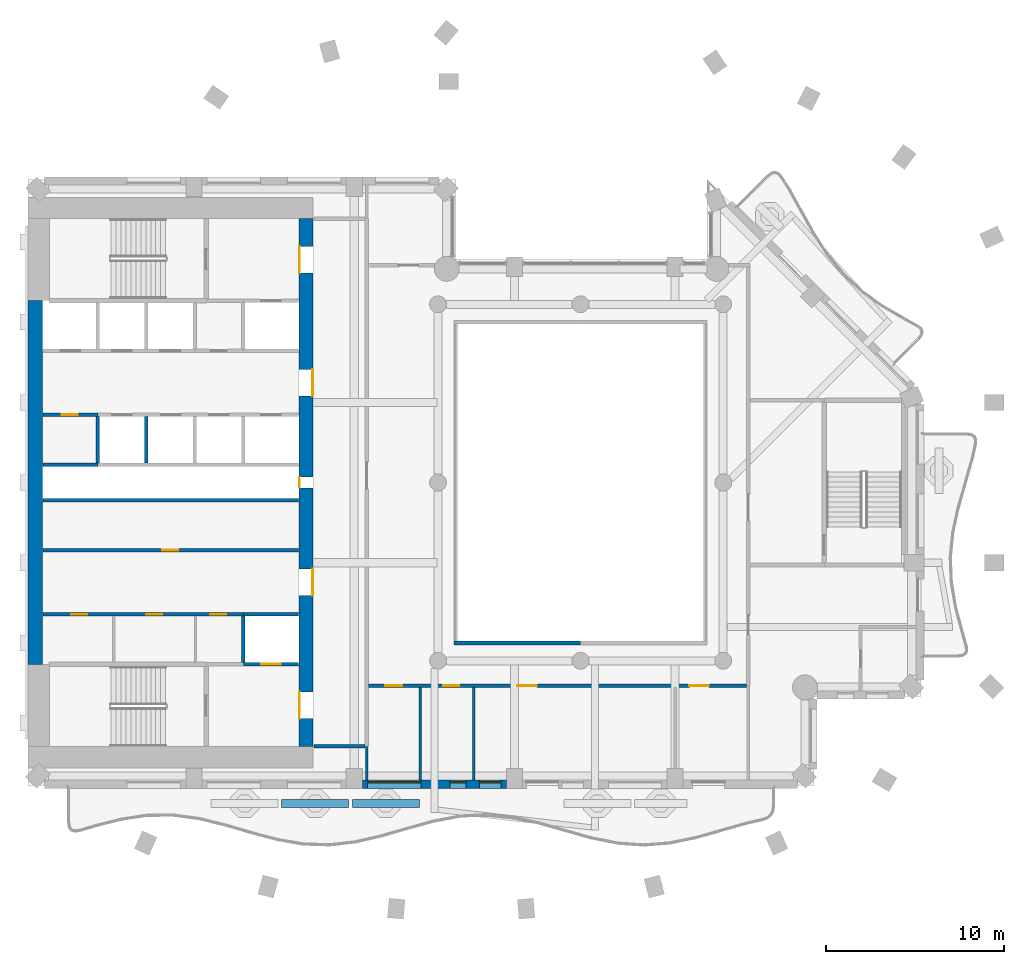
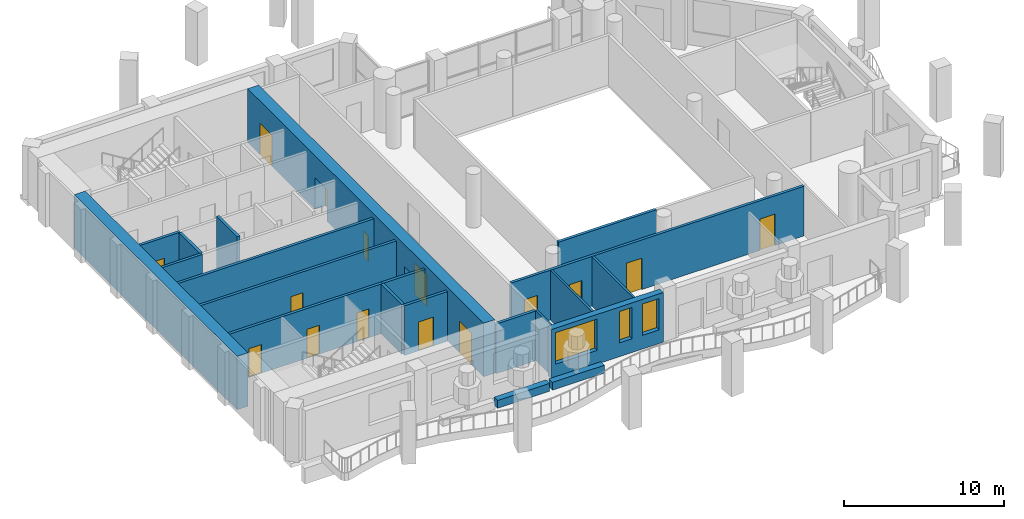
# One storey, part 4 of 14: 21 walls, 15 doors, 3 windows, 18 openings.
"""IFC4 building model written with IfcOpenShell, lengths in metres."""

from ifc_helpers import new_model, si_unit, direction, frame, frame_2d, origin, place, context, subcontext, project, spatial, rectangle, extrude, material, layer, layer_set, type_object, element, fill, save


model = new_model("IFC4")

# Units and contexts
model_context = context("Model", 3, precision=1e-05, world=origin(), true_north=direction((0.0, 1.0)))
body_context = subcontext(model_context, "Body", "Model", "MODEL_VIEW")
ifc_project = project(units=[si_unit("LENGTHUNIT", "METRE"), si_unit("AREAUNIT", "SQUARE_METRE"), si_unit("VOLUMEUNIT", "CUBIC_METRE"), si_unit("PLANEANGLEUNIT", "RADIAN"), si_unit("MASSUNIT", "GRAM", prefix="KILO")], contexts=[model_context])

# Site, building, storey
site_placement = place(None, origin())
site = spatial("IfcSite", under=ifc_project, at=site_placement, CompositionType="ELEMENT")
building_placement = place(site_placement, origin())
building = spatial("IfcBuilding", under=site, at=building_placement, Name="Cypress Arch Tower", CompositionType="ELEMENT")
storey_placement = place(building_placement, frame((0.0, 0.0, 226.10009765625)))
storey = spatial("IfcBuildingStorey", under=building, at=storey_placement, Name="L50", CompositionType="ELEMENT", Elevation=226.10009765625)

# Walls
ifc_material_1 = material(Name="Concrete C40/50, waterproofed", Category="concrete")
ifc_layer_1 = layer(ifc_material_1, 0.449951171875)
ifc_layer_set_1 = layer_set([ifc_layer_1], Name="Balcony planter wall PW450")
wall_type_1 = type_object("IfcWallType", Name="Balcony planter wall PW450", PredefinedType="SOLIDWALL", material=ifc_layer_set_1)
for number, where, z_axis, x_axis, name in (
    (1, (-15.77001953125, -18.0, 0.0), (0.0, 0.0, 1.0), (1.0, 0.0, 0.0), "Balcony planter wall L50-B01.2"),
    (2, (-11.81005859375, -18.0, 0.0), (0.0, 0.0, 1.0), (1.0, 0.0, 0.0), "Balcony planter wall L50-B01.3"),
):
    element("IfcWall", number, at=place(storey_placement, frame(where, z_axis=z_axis, x_axis=x_axis)), inside=storey, type_object=wall_type_1, Name=name, PredefinedType="SOLIDWALL", context=body_context, shape_type="SweptSolid", body=[
        extrude(rectangle(XDim=3.760009765625, YDim=0.449951171875, at=frame_2d((1.8798828125, 0.0))), origin(), (0.0, 0.0, 1.0), 0.599853515625),
    ])

# Wall, openings, windows
ifc_material_2 = material(Name="Brick (red buff blend)", Category="masonry")
ifc_layer_2 = layer(ifc_material_2, 0.449951171875)
ifc_layer_set_2 = layer_set([ifc_layer_2], Name="Brick pier and spandrel wall BW450")
wall_type_2 = type_object("IfcWallType", Name="Brick pier and spandrel wall BW450", PredefinedType="SOLIDWALL", material=ifc_layer_set_2)
wall_1_placement = place(storey_placement, frame((-11.25, -16.925048828125, 0.0), z_axis=(0.0, 0.0, 1.0), x_axis=(1.0, 0.0, 0.0)))
wall_1 = element("IfcWall", 3, at=wall_1_placement, inside=storey, type_object=wall_type_2, Name="Brick wall L50 B01.2", PredefinedType="SOLIDWALL", context=body_context, shape_type="SweptSolid", body=[
    extrude(rectangle(XDim=8.10009765625, YDim=0.449951171875, at=frame_2d((4.050048828125, 0.0))), origin(), (0.0, 0.0, 1.0), 3.7998046875),
])
opening_1_placement = place(wall_1_placement, frame((0.300048828125, 0.0, 1.050048828125)))
opening_1 = element("IfcOpeningElement", 4, at=opening_1_placement, cuts=wall_1, Name="Opening W300OD", PredefinedType="OPENING", context=body_context, shape_type="SweptSolid", body=[
    extrude(rectangle(XDim=3.0, YDim=2.39990234375, at=frame_2d((1.5, 1.199951171875))), frame((0.0, 0.23486328125, 0.0), z_axis=(0.0, -1.0, 0.0), x_axis=(1.0, 0.0, 0.0)), (0.0, 0.0, 1.0), 0.469970703125),
])
opening_2_placement = place(wall_1_placement, frame((4.925048828125, 0.0, 1.050048828125)))
opening_2 = element("IfcOpeningElement", 5, at=opening_2_placement, cuts=wall_1, Name="Opening W090OD", PredefinedType="OPENING", context=body_context, shape_type="SweptSolid", body=[
    extrude(rectangle(XDim=0.89990234375, YDim=2.39990234375, at=frame_2d((0.449951171875, 1.199951171875))), frame((0.0, 0.23486328125, 0.0), z_axis=(0.0, -1.0, 0.0), x_axis=(1.0, 0.0, 0.0)), (0.0, 0.0, 1.0), 0.469970703125),
])
opening_3_placement = place(wall_1_placement, frame((6.574951171875, 0.0, 1.050048828125)))
opening_3 = element("IfcOpeningElement", 6, at=opening_3_placement, cuts=wall_1, Name="Opening W120OD", PredefinedType="OPENING", context=body_context, shape_type="SweptSolid", body=[
    extrude(rectangle(XDim=1.199951171875, YDim=2.39990234375, at=frame_2d((0.60009765625, 1.199951171875))), frame((0.0, 0.23486328125, 0.0), z_axis=(0.0, -1.0, 0.0), x_axis=(1.0, 0.0, 0.0)), (0.0, 0.0, 1.0), 0.469970703125),
])
ifc_material_3 = material(Name="Anodised aluminium, bronze finish, laminated low-emissivity double glazing, large-missile impact rated", Category="aluminium")
window_type_1 = type_object("IfcWindowType", Name="Window Office 1200x2400 debris-rated", PartitioningType="SINGLE_PANEL", PredefinedType="WINDOW", material=ifc_material_3)
window_1_placement = place(opening_3_placement, origin())
window_1 = element("IfcWindow", 7, at=window_1_placement, inside=storey, type_object=window_type_1, Name="Window L50 B01.2.2b", OverallHeight=2.39990234375, OverallWidth=1.199951171875, PartitioningType="SINGLE_PANEL", PredefinedType="WINDOW", context=body_context, shape_type="SweptSolid", body=[
    extrude(rectangle(XDim=1.199951171875, YDim=2.39990234375, at=frame_2d((0.60009765625, 1.199951171875))), frame((0.0, 0.135009765625, 0.0), z_axis=(0.0, -1.0, 0.0), x_axis=(1.0, 0.0, 0.0)), (0.0, 0.0, 1.0), 0.06005859375),
])
fill(opening_3, window_1)
ifc_material_4 = material(Name="Anodised aluminium, bronze finish, laminated low-emissivity double glazing, large-missile impact rated", Category="aluminium")
window_type_2 = type_object("IfcWindowType", Name="Window Office 3000x2400 debris-rated", PartitioningType="SINGLE_PANEL", PredefinedType="WINDOW", material=ifc_material_4)
window_2_placement = place(opening_1_placement, origin())
window_2 = element("IfcWindow", 8, at=window_2_placement, inside=storey, type_object=window_type_2, Name="Window L50 B01.2.1", OverallHeight=2.39990234375, OverallWidth=3.0, PartitioningType="SINGLE_PANEL", PredefinedType="WINDOW", context=body_context, shape_type="SweptSolid", body=[
    extrude(rectangle(XDim=3.0, YDim=2.39990234375, at=frame_2d((1.5, 1.199951171875))), frame((0.0, 0.135009765625, 0.0), z_axis=(0.0, -1.0, 0.0), x_axis=(1.0, 0.0, 0.0)), (0.0, 0.0, 1.0), 0.06005859375),
])
fill(opening_1, window_2)
ifc_material_5 = material(Name="Anodised aluminium, bronze finish, laminated low-emissivity double glazing, large-missile impact rated", Category="aluminium")
window_type_3 = type_object("IfcWindowType", Name="Window Office 900x2400 debris-rated", PartitioningType="SINGLE_PANEL", PredefinedType="WINDOW", material=ifc_material_5)
window_3_placement = place(opening_2_placement, origin())
window_3 = element("IfcWindow", 9, at=window_3_placement, inside=storey, type_object=window_type_3, Name="Window L50 B01.2.2", OverallHeight=2.39990234375, OverallWidth=0.89990234375, PartitioningType="SINGLE_PANEL", PredefinedType="WINDOW", context=body_context, shape_type="SweptSolid", body=[
    extrude(rectangle(XDim=0.89990234375, YDim=2.39990234375, at=frame_2d((0.449951171875, 1.199951171875))), frame((0.0, 0.135009765625, 0.0), z_axis=(0.0, -1.0, 0.0), x_axis=(1.0, 0.0, 0.0)), (0.0, 0.0, 1.0), 0.06005859375),
])
fill(opening_2, window_3)

# Wall, openings, doors
ifc_material_6 = material(Name="Concrete C70/85", Category="concrete")
ifc_layer_3 = layer(ifc_material_6, 0.800048828125)
ifc_layer_set_3 = layer_set([ifc_layer_3], Name="Core wall CW800 C70/85")
wall_type_3 = type_object("IfcWallType", Name="Core wall CW800 C70/85", PredefinedType="SHEAR", material=ifc_layer_set_3)
wall_2_placement = place(storey_placement, frame((-14.39990234375, -14.800048828125, 0.0), z_axis=(0.0, 0.0, 1.0), x_axis=(0.0, 1.0, 0.0)))
wall_2 = element("IfcWall", 10, at=wall_2_placement, inside=storey, type_object=wall_type_3, Name="Core wall", PredefinedType="SHEAR", context=body_context, shape_type="SweptSolid", body=[
    extrude(rectangle(XDim=29.60009765625, YDim=0.800048828125, at=frame_2d((14.800048828125, 0.0))), origin(), (0.0, 0.0, 1.0), 4.099853515625),
])
opening_4_placement = place(wall_2_placement, frame((1.550048828125, 0.0, 0.0)))
opening_4 = element("IfcOpeningElement", 11, at=opening_4_placement, cuts=wall_2, Name="Opening D07", PredefinedType="OPENING", context=body_context, shape_type="SweptSolid", body=[
    extrude(rectangle(XDim=1.5, YDim=2.39990234375, at=frame_2d((0.75, 1.199951171875))), frame((0.0, 0.409912109375, 0.0), z_axis=(0.0, -1.0, 0.0), x_axis=(1.0, 0.0, 0.0)), (0.0, 0.0, 1.0), 0.820068359375),
])
opening_5_placement = place(wall_2_placement, frame((26.550048828125, 0.0, 0.0)))
opening_5 = element("IfcOpeningElement", 12, at=opening_5_placement, cuts=wall_2, Name="Opening D07", PredefinedType="OPENING", context=body_context, shape_type="SweptSolid", body=[
    extrude(rectangle(XDim=1.5, YDim=2.39990234375, at=frame_2d((0.75, 1.199951171875))), frame((0.0, 0.409912109375, 0.0), z_axis=(0.0, -1.0, 0.0), x_axis=(1.0, 0.0, 0.0)), (0.0, 0.0, 1.0), 0.820068359375),
])
opening_6_placement = place(wall_2_placement, frame((8.449951171875, 0.0, 0.0)))
opening_6 = element("IfcOpeningElement", 13, at=opening_6_placement, cuts=wall_2, Name="Opening D07", PredefinedType="OPENING", context=body_context, shape_type="SweptSolid", body=[
    extrude(rectangle(XDim=1.5, YDim=2.39990234375, at=frame_2d((0.75, 1.199951171875))), frame((0.0, 0.409912109375, 0.0), z_axis=(0.0, -1.0, 0.0), x_axis=(1.0, 0.0, 0.0)), (0.0, 0.0, 1.0), 0.820068359375),
])
opening_7_placement = place(wall_2_placement, frame((19.64990234375, 0.0, 0.0)))
opening_7 = element("IfcOpeningElement", 14, at=opening_7_placement, cuts=wall_2, Name="Opening D07", PredefinedType="OPENING", context=body_context, shape_type="SweptSolid", body=[
    extrude(rectangle(XDim=1.5, YDim=2.39990234375, at=frame_2d((0.75, 1.199951171875))), frame((0.0, 0.409912109375, 0.0), z_axis=(0.0, -1.0, 0.0), x_axis=(1.0, 0.0, 0.0)), (0.0, 0.0, 1.0), 0.820068359375),
])
opening_8_placement = place(wall_2_placement, frame((14.5, 0.0, 0.0)))
opening_8 = element("IfcOpeningElement", 15, at=opening_8_placement, cuts=wall_2, Name="Opening D08", PredefinedType="OPENING", context=body_context, shape_type="SweptSolid", body=[
    extrude(rectangle(XDim=0.60009765625, YDim=2.0, at=frame_2d((0.300048828125, 1.0))), frame((0.0, 0.409912109375, 0.0), z_axis=(0.0, -1.0, 0.0), x_axis=(1.0, 0.0, 0.0)), (0.0, 0.0, 1.0), 0.820068359375),
])
ifc_material_7 = material(Name="Steel framed glazed door, fire resisting", Category="steel")
door_type_1 = type_object("IfcDoorType", Name="Lobby door D07 1500x2400", OperationType="DOUBLE_DOOR_SINGLE_SWING", PredefinedType="DOOR", material=ifc_material_7)
door_1_placement = place(opening_4_placement, origin())
door_1 = element("IfcDoor", 16, at=door_1_placement, inside=storey, type_object=door_type_1, Name="Lobby door", OperationType="DOUBLE_DOOR_SINGLE_SWING", OverallHeight=2.39990234375, OverallWidth=1.5, PredefinedType="DOOR", context=body_context, shape_type="SweptSolid", body=[
    extrude(rectangle(XDim=1.5, YDim=2.39990234375, at=frame_2d((0.75, 1.199951171875))), frame((0.0, 0.39501953125, 0.0), z_axis=(0.0, -1.0, 0.0), x_axis=(1.0, 0.0, 0.0)), (0.0, 0.0, 1.0), 0.050048828125),
])
fill(opening_4, door_1)
door_2_placement = place(opening_5_placement, origin())
door_2 = element("IfcDoor", 17, at=door_2_placement, inside=storey, type_object=door_type_1, Name="Lobby door", OperationType="DOUBLE_DOOR_SINGLE_SWING", OverallHeight=2.39990234375, OverallWidth=1.5, PredefinedType="DOOR", context=body_context, shape_type="SweptSolid", body=[
    extrude(rectangle(XDim=1.5, YDim=2.39990234375, at=frame_2d((0.75, 1.199951171875))), frame((0.0, 0.39501953125, 0.0), z_axis=(0.0, -1.0, 0.0), x_axis=(1.0, 0.0, 0.0)), (0.0, 0.0, 1.0), 0.050048828125),
])
fill(opening_5, door_2)
door_3_placement = place(opening_6_placement, origin())
door_3 = element("IfcDoor", 18, at=door_3_placement, inside=storey, type_object=door_type_1, Name="Lobby door", OperationType="DOUBLE_DOOR_SINGLE_SWING", OverallHeight=2.39990234375, OverallWidth=1.5, PredefinedType="DOOR", context=body_context, shape_type="SweptSolid", body=[
    extrude(rectangle(XDim=1.5, YDim=2.39990234375, at=frame_2d((0.75, 1.199951171875))), frame((0.0, -0.34521484375, 0.0), z_axis=(0.0, -1.0, 0.0), x_axis=(1.0, 0.0, 0.0)), (0.0, 0.0, 1.0), 0.050048828125),
])
fill(opening_6, door_3)
door_4_placement = place(opening_7_placement, origin())
door_4 = element("IfcDoor", 19, at=door_4_placement, inside=storey, type_object=door_type_1, Name="Lobby door", OperationType="DOUBLE_DOOR_SINGLE_SWING", OverallHeight=2.39990234375, OverallWidth=1.5, PredefinedType="DOOR", context=body_context, shape_type="SweptSolid", body=[
    extrude(rectangle(XDim=1.5, YDim=2.39990234375, at=frame_2d((0.75, 1.199951171875))), frame((0.0, -0.34521484375, 0.0), z_axis=(0.0, -1.0, 0.0), x_axis=(1.0, 0.0, 0.0)), (0.0, 0.0, 1.0), 0.050048828125),
])
fill(opening_7, door_4)
ifc_material_8 = material(Name="Steel access door, fire resisting", Category="steel")
door_type_2 = type_object("IfcDoorType", Name="Riser access door D08 600x2000", OperationType="SINGLE_SWING_LEFT", PredefinedType="DOOR", material=ifc_material_8)
door_5_placement = place(opening_8_placement, origin())
door_5 = element("IfcDoor", 20, at=door_5_placement, inside=storey, type_object=door_type_2, Name="Riser access door", OperationType="SINGLE_SWING_RIGHT", OverallHeight=2.0, OverallWidth=0.60009765625, PredefinedType="DOOR", context=body_context, shape_type="SweptSolid", body=[
    extrude(rectangle(XDim=0.60009765625, YDim=2.0, at=frame_2d((0.300048828125, 1.0))), frame((0.0, 0.39501953125, 0.0), z_axis=(0.0, -1.0, 0.0), x_axis=(1.0, 0.0, 0.0)), (0.0, 0.0, 1.0), 0.050048828125),
])
fill(opening_8, door_5)

# Wall
wall_3_placement = place(storey_placement, frame((-29.60009765625, -10.199951171875, 0.0), z_axis=(0.0, 0.0, 1.0), x_axis=(0.0, 1.0, 0.0)))
element("IfcWall", 21, at=wall_3_placement, inside=storey, type_object=wall_type_3, Name="Core wall", PredefinedType="SHEAR", context=body_context, shape_type="SweptSolid", body=[
    extrude(rectangle(XDim=20.39990234375, YDim=0.800048828125, at=frame_2d((10.199951171875, 0.0))), origin(), (0.0, 0.0, 1.0), 4.099853515625),
])

# Wall, openings, doors
ifc_material_9 = material(Name="Concrete blockwork, plastered, rated", Category="masonry")
ifc_layer_4 = layer(ifc_material_9, 0.199951171875)
ifc_layer_set_4 = layer_set([ifc_layer_4], Name="Corridor wall FW200")
wall_type_4 = type_object("IfcWallType", Name="Corridor wall FW200", PredefinedType="PARTITIONING", material=ifc_layer_set_4)
wall_4_placement = place(storey_placement, frame((-29.169921875, -7.39990234375, 0.0), z_axis=(0.0, 0.0, 1.0), x_axis=(1.0, 0.0, 0.0)))
wall_4 = element("IfcWall", 22, at=wall_4_placement, inside=storey, type_object=wall_type_4, Name="Corridor wall", PredefinedType="PARTITIONING", context=body_context, shape_type="SweptSolid", body=[
    extrude(rectangle(XDim=11.27001953125, YDim=0.199951171875, at=frame_2d((5.635009765625, 0.0))), origin(), (0.0, 0.0, 1.0), 3.7998046875),
])
opening_9_placement = place(wall_4_placement, frame((1.60009765625, 0.0, 0.0)))
opening_9 = element("IfcOpeningElement", 23, at=opening_9_placement, cuts=wall_4, Name="Opening D05", PredefinedType="OPENING", context=body_context, shape_type="SweptSolid", body=[
    extrude(rectangle(XDim=0.89990234375, YDim=2.199951171875, at=frame_2d((0.449951171875, 1.10009765625))), frame((0.0, 0.10986328125, 0.0), z_axis=(0.0, -1.0, 0.0), x_axis=(1.0, 0.0, 0.0)), (0.0, 0.0, 1.0), 0.219970703125),
])
opening_10_placement = place(wall_4_placement, frame((5.800048828125, 0.0, 0.0)))
opening_10 = element("IfcOpeningElement", 24, at=opening_10_placement, cuts=wall_4, Name="Opening D05", PredefinedType="OPENING", context=body_context, shape_type="SweptSolid", body=[
    extrude(rectangle(XDim=0.89990234375, YDim=2.199951171875, at=frame_2d((0.449951171875, 1.10009765625))), frame((0.0, 0.10986328125, 0.0), z_axis=(0.0, -1.0, 0.0), x_axis=(1.0, 0.0, 0.0)), (0.0, 0.0, 1.0), 0.219970703125),
])
opening_11_placement = place(wall_4_placement, frame((9.39990234375, 0.0, 0.0)))
opening_11 = element("IfcOpeningElement", 25, at=opening_11_placement, cuts=wall_4, Name="Opening D05", PredefinedType="OPENING", context=body_context, shape_type="SweptSolid", body=[
    extrude(rectangle(XDim=0.89990234375, YDim=2.199951171875, at=frame_2d((0.449951171875, 1.10009765625))), frame((0.0, 0.10986328125, 0.0), z_axis=(0.0, -1.0, 0.0), x_axis=(1.0, 0.0, 0.0)), (0.0, 0.0, 1.0), 0.219970703125),
])
ifc_material_10 = material(Name="Timber flush door", Category="wood")
door_type_3 = type_object("IfcDoorType", Name="Service door D05 900x2200", OperationType="SINGLE_SWING_LEFT", PredefinedType="DOOR", material=ifc_material_10)
door_6_placement = place(opening_9_placement, origin())
door_6 = element("IfcDoor", 26, at=door_6_placement, inside=storey, type_object=door_type_3, Name="Service door", OperationType="SINGLE_SWING_LEFT", OverallHeight=2.199951171875, OverallWidth=0.89990234375, PredefinedType="DOOR", context=body_context, shape_type="SweptSolid", body=[
    extrude(rectangle(XDim=0.89990234375, YDim=2.199951171875, at=frame_2d((0.449951171875, 1.10009765625))), frame((0.0, 0.02490234375, 0.0), z_axis=(0.0, -1.0, 0.0), x_axis=(1.0, 0.0, 0.0)), (0.0, 0.0, 1.0), 0.050048828125),
])
fill(opening_9, door_6)
door_7_placement = place(opening_10_placement, origin())
door_7 = element("IfcDoor", 27, at=door_7_placement, inside=storey, type_object=door_type_3, Name="Service door", OperationType="SINGLE_SWING_RIGHT", OverallHeight=2.199951171875, OverallWidth=0.89990234375, PredefinedType="DOOR", context=body_context, shape_type="SweptSolid", body=[
    extrude(rectangle(XDim=0.89990234375, YDim=2.199951171875, at=frame_2d((0.449951171875, 1.10009765625))), frame((0.0, 0.02490234375, 0.0), z_axis=(0.0, -1.0, 0.0), x_axis=(1.0, 0.0, 0.0)), (0.0, 0.0, 1.0), 0.050048828125),
])
fill(opening_10, door_7)
door_8_placement = place(opening_11_placement, origin())
door_8 = element("IfcDoor", 28, at=door_8_placement, inside=storey, type_object=door_type_3, Name="Service door", OperationType="SINGLE_SWING_RIGHT", OverallHeight=2.199951171875, OverallWidth=0.89990234375, PredefinedType="DOOR", context=body_context, shape_type="SweptSolid", body=[
    extrude(rectangle(XDim=0.89990234375, YDim=2.199951171875, at=frame_2d((0.449951171875, 1.10009765625))), frame((0.0, 0.02490234375, 0.0), z_axis=(0.0, -1.0, 0.0), x_axis=(1.0, 0.0, 0.0)), (0.0, 0.0, 1.0), 0.050048828125),
])
fill(opening_11, door_8)

# Wall, opening, door
wall_5_placement = place(storey_placement, frame((-29.169921875, -3.800048828125, 0.0), z_axis=(0.0, 0.0, 1.0), x_axis=(1.0, 0.0, 0.0)))
wall_5 = element("IfcWall", 29, at=wall_5_placement, inside=storey, type_object=wall_type_4, Name="Corridor wall", PredefinedType="PARTITIONING", context=body_context, shape_type="SweptSolid", body=[
    extrude(rectangle(XDim=14.33984375, YDim=0.199951171875, at=frame_2d((7.169921875, 0.0))), origin(), (0.0, 0.0, 1.0), 3.7998046875),
])
opening_12_placement = place(wall_5_placement, frame((6.699951171875, 0.0, 0.0)))
opening_12 = element("IfcOpeningElement", 30, at=opening_12_placement, cuts=wall_5, Name="Opening D05", PredefinedType="OPENING", context=body_context, shape_type="SweptSolid", body=[
    extrude(rectangle(XDim=0.89990234375, YDim=2.199951171875, at=frame_2d((0.449951171875, 1.10009765625))), frame((0.0, 0.10986328125, 0.0), z_axis=(0.0, -1.0, 0.0), x_axis=(1.0, 0.0, 0.0)), (0.0, 0.0, 1.0), 0.219970703125),
])
door_9_placement = place(opening_12_placement, origin())
door_9 = element("IfcDoor", 31, at=door_9_placement, inside=storey, type_object=door_type_3, Name="Service door", OperationType="SINGLE_SWING_LEFT", OverallHeight=2.199951171875, OverallWidth=0.89990234375, PredefinedType="DOOR", context=body_context, shape_type="SweptSolid", body=[
    extrude(rectangle(XDim=0.89990234375, YDim=2.199951171875, at=frame_2d((0.449951171875, 1.10009765625))), frame((0.0, 0.02490234375, 0.0), z_axis=(0.0, -1.0, 0.0), x_axis=(1.0, 0.0, 0.0)), (0.0, 0.0, 1.0), 0.050048828125),
])
fill(opening_12, door_9)

wall_6_placement = place(storey_placement, frame((-29.169921875, 3.800048828125, 0.0), z_axis=(0.0, 0.0, 1.0), x_axis=(1.0, 0.0, 0.0)))
wall_6 = element("IfcWall", 32, at=wall_6_placement, inside=storey, type_object=wall_type_4, Name="Corridor wall", PredefinedType="PARTITIONING", context=body_context, shape_type="SweptSolid", body=[
    extrude(rectangle(XDim=3.08984375, YDim=0.199951171875, at=frame_2d((1.544921875, 0.0))), origin(), (0.0, 0.0, 1.0), 3.7998046875),
])
opening_13_placement = place(wall_6_placement, frame((1.050048828125, 0.0, 0.0)))
opening_13 = element("IfcOpeningElement", 33, at=opening_13_placement, cuts=wall_6, Name="Opening D05", PredefinedType="OPENING", context=body_context, shape_type="SweptSolid", body=[
    extrude(rectangle(XDim=0.89990234375, YDim=2.199951171875, at=frame_2d((0.449951171875, 1.10009765625))), frame((0.0, 0.10986328125, 0.0), z_axis=(0.0, -1.0, 0.0), x_axis=(1.0, 0.0, 0.0)), (0.0, 0.0, 1.0), 0.219970703125),
])
door_10_placement = place(opening_13_placement, origin())
door_10 = element("IfcDoor", 34, at=door_10_placement, inside=storey, type_object=door_type_3, Name="Service door", OperationType="SINGLE_SWING_LEFT", OverallHeight=2.199951171875, OverallWidth=0.89990234375, PredefinedType="DOOR", context=body_context, shape_type="SweptSolid", body=[
    extrude(rectangle(XDim=0.89990234375, YDim=2.199951171875, at=frame_2d((0.449951171875, 1.10009765625))), frame((0.0, 0.02490234375, 0.0), z_axis=(0.0, -1.0, 0.0), x_axis=(1.0, 0.0, 0.0)), (0.0, 0.0, 1.0), 0.050048828125),
])
fill(opening_13, door_10)

# Wall
wall_7_placement = place(storey_placement, frame((-13.969970703125, -14.800048828125, 0.0), z_axis=(0.0, 0.0, 1.0), x_axis=(1.0, 0.0, 0.0)))
element("IfcWall", 35, at=wall_7_placement, inside=storey, type_object=wall_type_4, Name="Corridor wall", PredefinedType="PARTITIONING", context=body_context, shape_type="SweptSolid", body=[
    extrude(rectangle(XDim=2.869873046875, YDim=0.199951171875, at=frame_2d((1.43505859375, 0.0))), origin(), (0.0, 0.0, 1.0), 3.7998046875),
])

# Wall, openings, doors
wall_8_placement = place(storey_placement, frame((-10.89990234375, -11.39990234375, 0.0), z_axis=(0.0, 0.0, 1.0), x_axis=(1.0, 0.0, 0.0)))
wall_8 = element("IfcWall", 36, at=wall_8_placement, inside=storey, type_object=wall_type_4, Name="Corridor wall", PredefinedType="PARTITIONING", context=body_context, shape_type="SweptSolid", body=[
    extrude(rectangle(XDim=21.199951171875, YDim=0.199951171875, at=frame_2d((10.60009765625, 0.0))), origin(), (0.0, 0.0, 1.0), 3.7998046875),
])
opening_14_placement = place(wall_8_placement, frame((0.949951171875, 0.0, 0.0)))
opening_14 = element("IfcOpeningElement", 37, at=opening_14_placement, cuts=wall_8, Name="Opening D02", PredefinedType="OPENING", context=body_context, shape_type="SweptSolid", body=[
    extrude(rectangle(XDim=0.949951171875, YDim=2.199951171875, at=frame_2d((0.47509765625, 1.10009765625))), frame((0.0, 0.10986328125, 0.0), z_axis=(0.0, -1.0, 0.0), x_axis=(1.0, 0.0, 0.0)), (0.0, 0.0, 1.0), 0.219970703125),
])
opening_15_placement = place(wall_8_placement, frame((4.199951171875, 0.0, 0.0)))
opening_15 = element("IfcOpeningElement", 38, at=opening_15_placement, cuts=wall_8, Name="Opening D05", PredefinedType="OPENING", context=body_context, shape_type="SweptSolid", body=[
    extrude(rectangle(XDim=0.89990234375, YDim=2.199951171875, at=frame_2d((0.449951171875, 1.10009765625))), frame((0.0, 0.10986328125, 0.0), z_axis=(0.0, -1.0, 0.0), x_axis=(1.0, 0.0, 0.0)), (0.0, 0.0, 1.0), 0.219970703125),
])
opening_16_placement = place(wall_8_placement, frame((8.35009765625, 0.0, 0.0)))
opening_16 = element("IfcOpeningElement", 39, at=opening_16_placement, cuts=wall_8, Name="Opening D01", PredefinedType="OPENING", context=body_context, shape_type="SweptSolid", body=[
    extrude(rectangle(XDim=1.10009765625, YDim=2.39990234375, at=frame_2d((0.550048828125, 1.199951171875))), frame((0.0, 0.10986328125, 0.0), z_axis=(0.0, -1.0, 0.0), x_axis=(1.0, 0.0, 0.0)), (0.0, 0.0, 1.0), 0.219970703125),
])
opening_17_placement = place(wall_8_placement, frame((18.0, 0.0, 0.0)))
opening_17 = element("IfcOpeningElement", 40, at=opening_17_placement, cuts=wall_8, Name="Opening D01", PredefinedType="OPENING", context=body_context, shape_type="SweptSolid", body=[
    extrude(rectangle(XDim=1.10009765625, YDim=2.39990234375, at=frame_2d((0.550048828125, 1.199951171875))), frame((0.0, 0.10986328125, 0.0), z_axis=(0.0, -1.0, 0.0), x_axis=(1.0, 0.0, 0.0)), (0.0, 0.0, 1.0), 0.219970703125),
])
ifc_material_11 = material(Name="Timber flush door, fire resisting", Category="wood")
door_type_4 = type_object("IfcDoorType", Name="Room door D02 950x2200", OperationType="SINGLE_SWING_LEFT", PredefinedType="DOOR", material=ifc_material_11)
door_11_placement = place(opening_14_placement, origin())
door_11 = element("IfcDoor", 41, at=door_11_placement, inside=storey, type_object=door_type_4, Name="Room door", OperationType="SINGLE_SWING_LEFT", OverallHeight=2.199951171875, OverallWidth=0.949951171875, PredefinedType="DOOR", context=body_context, shape_type="SweptSolid", body=[
    extrude(rectangle(XDim=0.949951171875, YDim=2.199951171875, at=frame_2d((0.47509765625, 1.10009765625))), frame((0.0, 0.02490234375, 0.0), z_axis=(0.0, -1.0, 0.0), x_axis=(1.0, 0.0, 0.0)), (0.0, 0.0, 1.0), 0.050048828125),
])
fill(opening_14, door_11)
door_12_placement = place(opening_15_placement, origin())
door_12 = element("IfcDoor", 42, at=door_12_placement, inside=storey, type_object=door_type_3, Name="Service door", OperationType="SINGLE_SWING_LEFT", OverallHeight=2.199951171875, OverallWidth=0.89990234375, PredefinedType="DOOR", context=body_context, shape_type="SweptSolid", body=[
    extrude(rectangle(XDim=0.89990234375, YDim=2.199951171875, at=frame_2d((0.449951171875, 1.10009765625))), frame((0.0, 0.02490234375, 0.0), z_axis=(0.0, -1.0, 0.0), x_axis=(1.0, 0.0, 0.0)), (0.0, 0.0, 1.0), 0.050048828125),
])
fill(opening_15, door_12)
ifc_material_12 = material(Name="Timber flush door, fire resisting, self-closing", Category="wood")
door_type_5 = type_object("IfcDoorType", Name="Unit entrance door D01 1100x2400", OperationType="SINGLE_SWING_LEFT", PredefinedType="DOOR", material=ifc_material_12)
door_13_placement = place(opening_16_placement, origin())
door_13 = element("IfcDoor", 43, at=door_13_placement, inside=storey, type_object=door_type_5, Name="Unit entrance door", OperationType="SINGLE_SWING_RIGHT", OverallHeight=2.39990234375, OverallWidth=1.10009765625, PredefinedType="DOOR", context=body_context, shape_type="SweptSolid", body=[
    extrude(rectangle(XDim=1.10009765625, YDim=2.39990234375, at=frame_2d((0.550048828125, 1.199951171875))), frame((0.0, 0.02490234375, 0.0), z_axis=(0.0, -1.0, 0.0), x_axis=(1.0, 0.0, 0.0)), (0.0, 0.0, 1.0), 0.050048828125),
])
fill(opening_16, door_13)
door_14_placement = place(opening_17_placement, origin())
door_14 = element("IfcDoor", 44, at=door_14_placement, inside=storey, type_object=door_type_5, Name="Unit entrance door", OperationType="SINGLE_SWING_RIGHT", OverallHeight=2.39990234375, OverallWidth=1.10009765625, PredefinedType="DOOR", context=body_context, shape_type="SweptSolid", body=[
    extrude(rectangle(XDim=1.10009765625, YDim=2.39990234375, at=frame_2d((0.550048828125, 1.199951171875))), frame((0.0, 0.02490234375, 0.0), z_axis=(0.0, -1.0, 0.0), x_axis=(1.0, 0.0, 0.0)), (0.0, 0.0, 1.0), 0.050048828125),
])
fill(opening_17, door_14)

# Walls
wall_9_placement = place(storey_placement, frame((-6.10009765625, -9.0, 0.0), z_axis=(0.0, 0.0, 1.0), x_axis=(1.0, 0.0, 0.0)))
element("IfcWall", 45, at=wall_9_placement, inside=storey, type_object=wall_type_4, Name="Corridor wall", PredefinedType="PARTITIONING", context=body_context, shape_type="SweptSolid", body=[
    extrude(rectangle(XDim=7.080078125, YDim=0.199951171875, at=frame_2d((3.5400390625, 0.0))), origin(), (0.0, 0.0, 1.0), 3.7998046875),
])
ifc_material_13 = material(Name="Blockwork, plastered both sides", Category="masonry")
ifc_layer_5 = layer(ifc_material_13, 0.14990234375)
ifc_layer_set_5 = layer_set([ifc_layer_5], Name="Partition PW150")
wall_type_5 = type_object("IfcWallType", Name="Partition PW150", PredefinedType="PARTITIONING", material=ifc_layer_set_5)
wall_10_placement = place(storey_placement, frame((-11.0, -16.699951171875, 0.0), z_axis=(0.0, 0.0, 1.0), x_axis=(0.0, 1.0, 0.0)))
element("IfcWall", 46, at=wall_10_placement, inside=storey, type_object=wall_type_5, Name="Partition", PredefinedType="PARTITIONING", context=body_context, shape_type="SweptSolid", body=[
    extrude(rectangle(XDim=1.8798828125, YDim=0.14990234375, at=frame_2d((0.93994140625, 0.0))), origin(), (0.0, 0.0, 1.0), 3.7998046875),
])
for number, where, z_axis, x_axis, name in (
    (47, (-8.0, -16.699951171875, 0.0), (0.0, 0.0, 1.0), (0.0, 1.0, 0.0), "Partition"),
    (48, (-5.0, -16.699951171875, 0.0), (0.0, 0.0, 1.0), (0.0, 1.0, 0.0), "Partition"),
):
    element("IfcWall", number, at=place(storey_placement, frame(where, z_axis=z_axis, x_axis=x_axis)), inside=storey, type_object=wall_type_5, Name=name, PredefinedType="PARTITIONING", context=body_context, shape_type="SweptSolid", body=[
        extrude(rectangle(XDim=5.199951171875, YDim=0.14990234375, at=frame_2d((2.60009765625, 0.0))), origin(), (0.0, 0.0, 1.0), 3.7998046875),
    ])
ifc_material_14 = material(Name="Reinforced blockwork, plastered, rated", Category="masonry")
ifc_layer_6 = layer(ifc_material_14, 0.199951171875)
ifc_layer_set_6 = layer_set([ifc_layer_6], Name="Plant and riser wall PL200")
wall_type_6 = type_object("IfcWallType", Name="Plant and riser wall PL200", PredefinedType="PARTITIONING", material=ifc_layer_set_6)
wall_11_placement = place(storey_placement, frame((-29.169921875, -1.0, 0.0), z_axis=(0.0, 0.0, 1.0), x_axis=(1.0, 0.0, 0.0)))
element("IfcWall", 49, at=wall_11_placement, inside=storey, type_object=wall_type_6, Name="Plant and riser wall", PredefinedType="PARTITIONING", context=body_context, shape_type="SweptSolid", body=[
    extrude(rectangle(XDim=14.33984375, YDim=0.199951171875, at=frame_2d((7.169921875, 0.0))), origin(), (0.0, 0.0, 1.0), 3.7998046875),
])
wall_12_placement = place(storey_placement, frame((-29.169921875, 1.0, 0.0), z_axis=(0.0, 0.0, 1.0), x_axis=(1.0, 0.0, 0.0)))
element("IfcWall", 50, at=wall_12_placement, inside=storey, type_object=wall_type_6, Name="Plant and riser wall", PredefinedType="PARTITIONING", context=body_context, shape_type="SweptSolid", body=[
    extrude(rectangle(XDim=3.08984375, YDim=0.199951171875, at=frame_2d((1.544921875, 0.0))), origin(), (0.0, 0.0, 1.0), 3.7998046875),
])
ifc_material_15 = material(Name="Concrete C50/60", Category="concrete")
ifc_layer_7 = layer(ifc_material_15, 0.199951171875)
ifc_layer_set_7 = layer_set([ifc_layer_7], Name="Shaft wall SH200")
wall_type_7 = type_object("IfcWallType", Name="Shaft wall SH200", PredefinedType="SHEAR", material=ifc_layer_set_7)
wall_13_placement = place(storey_placement, frame((-26.080078125, 1.10009765625, 0.0), z_axis=(0.0, 0.0, 1.0), x_axis=(0.0, 1.0, 0.0)))
element("IfcWall", 51, at=wall_13_placement, inside=storey, type_object=wall_type_7, Name="Shaft wall", PredefinedType="SHEAR", context=body_context, shape_type="SweptSolid", body=[
    extrude(rectangle(XDim=2.599853515625, YDim=0.199951171875, at=frame_2d((1.2998046875, 0.0))), origin(), (0.0, 0.0, 1.0), 3.7998046875),
])
wall_14_placement = place(storey_placement, frame((-23.360107421875, 1.10009765625, 0.0), z_axis=(0.0, 0.0, 1.0), x_axis=(0.0, 1.0, 0.0)))
element("IfcWall", 52, at=wall_14_placement, inside=storey, type_object=wall_type_7, Name="Shaft wall", PredefinedType="SHEAR", context=body_context, shape_type="SweptSolid", body=[
    extrude(rectangle(XDim=2.599853515625, YDim=0.199951171875, at=frame_2d((1.2998046875, 0.0))), origin(), (0.0, 0.0, 1.0), 4.099853515625),
])
wall_15_placement = place(storey_placement, frame((-17.919921875, -10.10009765625, 0.0), z_axis=(0.0, 0.0, 1.0), x_axis=(0.0, 1.0, 0.0)))
element("IfcWall", 53, at=wall_15_placement, inside=storey, type_object=wall_type_7, Name="Shaft wall", PredefinedType="SHEAR", context=body_context, shape_type="SweptSolid", body=[
    extrude(rectangle(XDim=2.60009765625, YDim=0.199951171875, at=frame_2d((1.300048828125, 0.0))), origin(), (0.0, 0.0, 1.0), 3.7998046875),
])

# Wall, opening, door
wall_16_placement = place(storey_placement, frame((-17.919921875, -10.199951171875, 0.0), z_axis=(0.0, 0.0, 1.0), x_axis=(1.0, 0.0, 0.0)))
wall_16 = element("IfcWall", 54, at=wall_16_placement, inside=storey, type_object=wall_type_7, Name="Shaft wall", PredefinedType="SHEAR", context=body_context, shape_type="SweptSolid", body=[
    extrude(rectangle(XDim=3.08984375, YDim=0.199951171875, at=frame_2d((1.544921875, 0.0))), origin(), (0.0, 0.0, 1.0), 3.7998046875),
])
opening_18_placement = place(wall_16_placement, frame((1.0, 0.0, 0.0)))
opening_18 = element("IfcOpeningElement", 55, at=opening_18_placement, cuts=wall_16, Name="Opening LD-FL1", PredefinedType="OPENING", context=body_context, shape_type="SweptSolid", body=[
    extrude(rectangle(XDim=1.10009765625, YDim=2.199951171875, at=frame_2d((0.550048828125, 1.10009765625))), frame((0.0, 0.10986328125, 0.0), z_axis=(0.0, -1.0, 0.0), x_axis=(1.0, 0.0, 0.0)), (0.0, 0.0, 1.0), 0.219970703125),
])
ifc_material_16 = material(Name="Stainless steel centre-opening landing door, rated", Category="steel")
door_type_6 = type_object("IfcDoorType", Name="Lift landing door LD 1100x2200", OperationType="DOUBLE_DOOR_SLIDING", PredefinedType="DOOR", material=ifc_material_16)
door_15_placement = place(opening_18_placement, origin())
door_15 = element("IfcDoor", 56, at=door_15_placement, inside=storey, type_object=door_type_6, Name="Lift landing doors FL1", OperationType="DOUBLE_DOOR_SLIDING", OverallHeight=2.199951171875, OverallWidth=1.10009765625, PredefinedType="DOOR", context=body_context, shape_type="SweptSolid", body=[
    extrude(rectangle(XDim=1.10009765625, YDim=2.199951171875, at=frame_2d((0.550048828125, 1.10009765625))), frame((0.0, 0.02490234375, 0.0), z_axis=(0.0, -1.0, 0.0), x_axis=(1.0, 0.0, 0.0)), (0.0, 0.0, 1.0), 0.050048828125),
])
fill(opening_18, door_15)

# Wall
wall_17_placement = place(storey_placement, frame((-17.89990234375, -7.39990234375, 0.0), z_axis=(0.0, 0.0, 1.0), x_axis=(1.0, 0.0, 0.0)))
element("IfcWall", 57, at=wall_17_placement, inside=storey, type_object=wall_type_7, Name="Shaft wall", PredefinedType="SHEAR", context=body_context, shape_type="SweptSolid", body=[
    extrude(rectangle(XDim=3.06982421875, YDim=0.199951171875, at=frame_2d((1.534912109375, 0.0))), origin(), (0.0, 0.0, 1.0), 3.7998046875),
])

save(model, "model.ifc")
